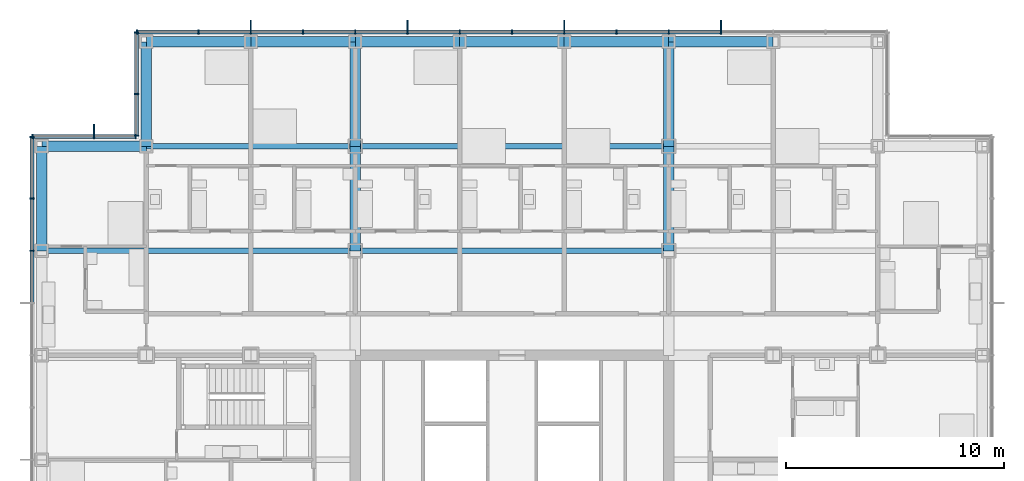
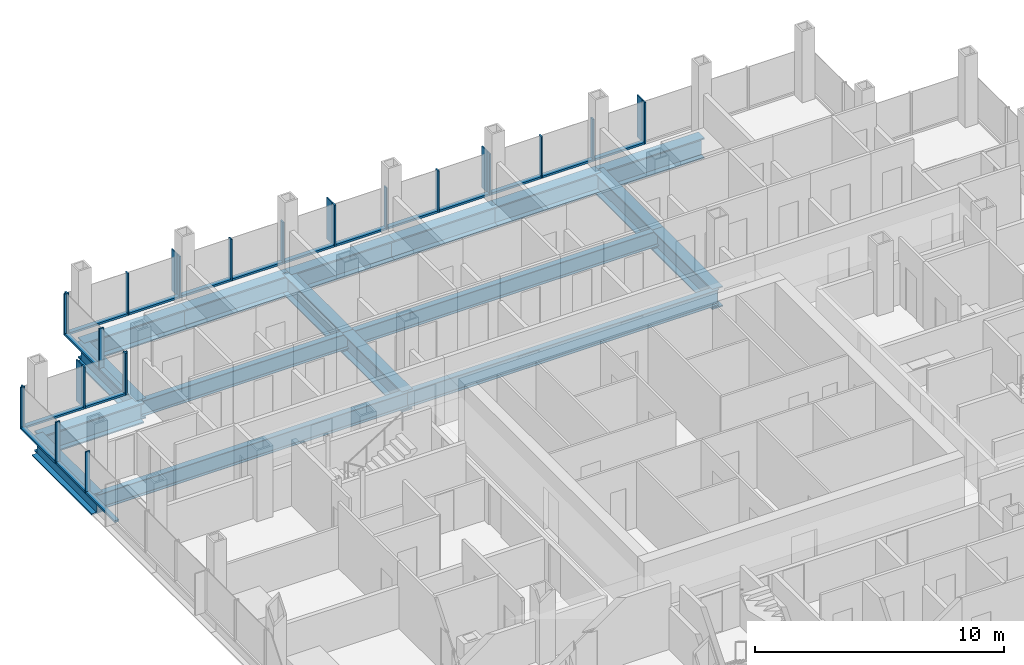
# One storey, part 10 of 22: 44 members, 17 beams, 4 elements without a shape of their own.
"""IFC4 building model written with IfcOpenShell, lengths in metres."""

from ifc_helpers import new_model, si_unit, direction, frame, origin, origin_2d, place, context, subcontext, project, spatial, rectangle, i_section, extrude, material, material_profile, profile_set, type_object, element, aggregate, save


model = new_model("IFC4")

# Units and contexts
model_context = context("Model", 3, precision=1e-05, world=origin(), true_north=direction((0.0, 1.0)))
body_context = subcontext(model_context, "Body", "Model", "MODEL_VIEW")
ifc_project = project(units=[si_unit("LENGTHUNIT", "METRE"), si_unit("AREAUNIT", "SQUARE_METRE"), si_unit("VOLUMEUNIT", "CUBIC_METRE"), si_unit("PLANEANGLEUNIT", "RADIAN"), si_unit("MASSUNIT", "GRAM", prefix="KILO")], contexts=[model_context])

# Site, building, storey
site_placement = place(None, origin())
site = spatial("IfcSite", under=ifc_project, at=site_placement, CompositionType="ELEMENT")
building_placement = place(site_placement, origin())
building = spatial("IfcBuilding", under=site, at=building_placement, Name="Kvirike Care Tower", CompositionType="ELEMENT")
storey_placement = place(building_placement, frame((0.0, 0.0, 76.0)))
storey = spatial("IfcBuildingStorey", under=building, at=storey_placement, Name="L20", CompositionType="ELEMENT", Elevation=76.0)

# Curtain wall, members
ifc_material_1 = material(Name="Anodised aluminium stick system", Category="aluminium")
curtain_wall_type = type_object("IfcCurtainWallType", Name="CW-A STICK CURTAIN WALL", PredefinedType="NOTDEFINED", material=ifc_material_1)
curtain_wall_1_placement = place(storey_placement, origin())
curtain_wall_1 = element("IfcCurtainWall", 1, at=curtain_wall_1_placement, inside=storey, type_object=curtain_wall_type, Name="Curtain wall L20 face 10", PredefinedType="NOTDEFINED")
ifc_material_2 = material(Name="Bronze anodised aluminium fin", Category="aluminium")
ifc_material_profile_1 = material_profile(ifc_material_2, rectangle(XDim=0.050048828125, YDim=0.449951171875, at=origin_2d()), Name="BRONZE FIN 450")
ifc_profile_set_1 = profile_set([ifc_material_profile_1], Name="Bronze anodised aluminium fin")
member_type_1 = type_object("IfcMemberType", Name="BRONZE FIN 450", PredefinedType="USERDEFINED", material=ifc_profile_set_1)
member_1_placement = place(storey_placement, frame((31.199951171875, 58.375, 0.0), z_axis=(0.0, 0.0, 1.0), x_axis=(-1.0, 0.0, 0.0)))
member_1 = element("IfcMember", 2, at=member_1_placement, type_object=member_type_1, Name="Bronze fin L20 face 10.4", ObjectType="FIN", PredefinedType="USERDEFINED", context=body_context, shape_type="SweptSolid", body=[
    extrude(rectangle(XDim=0.050048828125, YDim=0.449951171875, at=origin_2d()), origin(), (0.0, 0.0, 1.0), 2.050048828125),
])
member_2_placement = place(storey_placement, frame((24.0, 58.375, 0.0), z_axis=(0.0, 0.0, 1.0), x_axis=(-1.0, 0.0, 0.0)))
member_2 = element("IfcMember", 3, at=member_2_placement, type_object=member_type_1, Name="Bronze fin L20 face 10.7", ObjectType="FIN", PredefinedType="USERDEFINED", context=body_context, shape_type="SweptSolid", body=[
    extrude(rectangle(XDim=0.050048828125, YDim=0.449951171875, at=origin_2d()), origin(), (0.0, 0.0, 1.0), 2.050048828125),
])
member_3_placement = place(storey_placement, frame((16.800048828125, 58.375, 0.0), z_axis=(0.0, 0.0, 1.0), x_axis=(-1.0, 0.0, 0.0)))
member_3 = element("IfcMember", 4, at=member_3_placement, type_object=member_type_1, Name="Bronze fin L20 face 10.10", ObjectType="FIN", PredefinedType="USERDEFINED", context=body_context, shape_type="SweptSolid", body=[
    extrude(rectangle(XDim=0.050048828125, YDim=0.449951171875, at=origin_2d()), origin(), (0.0, 0.0, 1.0), 2.050048828125),
])
member_4_placement = place(storey_placement, frame((9.60009765625, 58.375, 0.0), z_axis=(0.0, 0.0, 1.0), x_axis=(-1.0, 0.0, 0.0)))
member_4 = element("IfcMember", 5, at=member_4_placement, type_object=member_type_1, Name="Bronze fin L20 face 10.13", ObjectType="FIN", PredefinedType="USERDEFINED", context=body_context, shape_type="SweptSolid", body=[
    extrude(rectangle(XDim=0.050048828125, YDim=0.449951171875, at=origin_2d()), origin(), (0.0, 0.0, 1.0), 2.050048828125),
])

# Curtain wall, member
curtain_wall_2_placement = place(storey_placement, origin())
curtain_wall_2 = element("IfcCurtainWall", 6, at=curtain_wall_2_placement, inside=storey, type_object=curtain_wall_type, Name="Curtain wall L20 face 12", PredefinedType="NOTDEFINED")
member_5_placement = place(storey_placement, frame((2.39990234375, 53.574951171875, 0.0), z_axis=(0.0, 0.0, 1.0), x_axis=(-1.0, 0.0, 0.0)))
member_5 = element("IfcMember", 7, at=member_5_placement, type_object=member_type_1, Name="Bronze fin L20 face 12.2", ObjectType="FIN", PredefinedType="USERDEFINED", context=body_context, shape_type="SweptSolid", body=[
    extrude(rectangle(XDim=0.050048828125, YDim=0.449951171875, at=origin_2d()), origin(), (0.0, 0.0, 1.0), 2.050048828125),
])

# Curtain wall, members
curtain_wall_3_placement = place(storey_placement, origin())
curtain_wall_3 = element("IfcCurtainWall", 8, at=curtain_wall_3_placement, inside=storey, type_object=curtain_wall_type, Name="Curtain wall L20 face 1", PredefinedType="NOTDEFINED")
ifc_material_3 = material(Name="Bronze anodised aluminium mullion", Category="aluminium")
ifc_material_profile_2 = material_profile(ifc_material_3, rectangle(XDim=0.06494140625, YDim=0.199951171875, at=origin_2d()), Name="CW-A MULLION 65x200")
ifc_profile_set_2 = profile_set([ifc_material_profile_2], Name="Bronze anodised aluminium mullion")
member_type_2 = type_object("IfcMemberType", Name="CW-A MULLION 65x200", PredefinedType="MULLION", material=ifc_profile_set_2)
member_6_placement = place(storey_placement, frame((-0.449951171875, 53.217529296875, 0.0), z_axis=(0.0, 0.0, 1.0), x_axis=(0.0, -1.0, 0.0)))
member_6 = element("IfcMember", 9, at=member_6_placement, type_object=member_type_2, Name="CW-A mullion L20 face 1.1", PredefinedType="MULLION", context=body_context, shape_type="SweptSolid", body=[
    extrude(rectangle(XDim=0.06494140625, YDim=0.199951171875, at=origin_2d()), origin(), (0.0, 0.0, 1.0), 2.050048828125),
])
member_7_placement = place(storey_placement, frame((-0.449951171875, 50.39990234375, 0.0), z_axis=(0.0, 0.0, 1.0), x_axis=(0.0, -1.0, 0.0)))
member_7 = element("IfcMember", 10, at=member_7_placement, type_object=member_type_2, Name="CW-A mullion L20 face 1.2", PredefinedType="MULLION", context=body_context, shape_type="SweptSolid", body=[
    extrude(rectangle(XDim=0.06494140625, YDim=0.199951171875, at=origin_2d()), origin(), (0.0, 0.0, 1.0), 2.050048828125),
])
member_8_placement = place(storey_placement, frame((-0.449951171875, 48.0, 0.0), z_axis=(0.0, 0.0, 1.0), x_axis=(0.0, -1.0, 0.0)))
member_8 = element("IfcMember", 11, at=member_8_placement, type_object=member_type_2, Name="CW-A mullion L20 face 1.3", PredefinedType="MULLION", context=body_context, shape_type="SweptSolid", body=[
    extrude(rectangle(XDim=0.06494140625, YDim=0.199951171875, at=origin_2d()), origin(), (0.0, 0.0, 1.0), 2.050048828125),
])

# Member
member_9_placement = place(storey_placement, frame((31.199951171875, 58.050048828125, 0.0), z_axis=(0.0, 0.0, 1.0), x_axis=(-1.0, 0.0, 0.0)))
member_9 = element("IfcMember", 12, at=member_9_placement, type_object=member_type_2, Name="CW-A mullion L20 face 10.4", PredefinedType="MULLION", context=body_context, shape_type="SweptSolid", body=[
    extrude(rectangle(XDim=0.06494140625, YDim=0.199951171875, at=origin_2d()), origin(), (0.0, 0.0, 1.0), 2.050048828125),
])

member_10_placement = place(storey_placement, frame((28.800048828125, 58.050048828125, 0.0), z_axis=(0.0, 0.0, 1.0), x_axis=(-1.0, 0.0, 0.0)))
member_10 = element("IfcMember", 13, at=member_10_placement, type_object=member_type_2, Name="CW-A mullion L20 face 10.5", PredefinedType="MULLION", context=body_context, shape_type="SweptSolid", body=[
    extrude(rectangle(XDim=0.06494140625, YDim=0.199951171875, at=origin_2d()), origin(), (0.0, 0.0, 1.0), 2.050048828125),
])

member_11_placement = place(storey_placement, frame((26.39990234375, 58.050048828125, 0.0), z_axis=(0.0, 0.0, 1.0), x_axis=(-1.0, 0.0, 0.0)))
member_11 = element("IfcMember", 14, at=member_11_placement, type_object=member_type_2, Name="CW-A mullion L20 face 10.6", PredefinedType="MULLION", context=body_context, shape_type="SweptSolid", body=[
    extrude(rectangle(XDim=0.06494140625, YDim=0.199951171875, at=origin_2d()), origin(), (0.0, 0.0, 1.0), 2.050048828125),
])

member_12_placement = place(storey_placement, frame((24.0, 58.050048828125, 0.0), z_axis=(0.0, 0.0, 1.0), x_axis=(-1.0, 0.0, 0.0)))
member_12 = element("IfcMember", 15, at=member_12_placement, type_object=member_type_2, Name="CW-A mullion L20 face 10.7", PredefinedType="MULLION", context=body_context, shape_type="SweptSolid", body=[
    extrude(rectangle(XDim=0.06494140625, YDim=0.199951171875, at=origin_2d()), origin(), (0.0, 0.0, 1.0), 2.050048828125),
])

member_13_placement = place(storey_placement, frame((21.60009765625, 58.050048828125, 0.0), z_axis=(0.0, 0.0, 1.0), x_axis=(-1.0, 0.0, 0.0)))
member_13 = element("IfcMember", 16, at=member_13_placement, type_object=member_type_2, Name="CW-A mullion L20 face 10.8", PredefinedType="MULLION", context=body_context, shape_type="SweptSolid", body=[
    extrude(rectangle(XDim=0.06494140625, YDim=0.199951171875, at=origin_2d()), origin(), (0.0, 0.0, 1.0), 2.050048828125),
])

member_14_placement = place(storey_placement, frame((19.199951171875, 58.050048828125, 0.0), z_axis=(0.0, 0.0, 1.0), x_axis=(-1.0, 0.0, 0.0)))
member_14 = element("IfcMember", 17, at=member_14_placement, type_object=member_type_2, Name="CW-A mullion L20 face 10.9", PredefinedType="MULLION", context=body_context, shape_type="SweptSolid", body=[
    extrude(rectangle(XDim=0.06494140625, YDim=0.199951171875, at=origin_2d()), origin(), (0.0, 0.0, 1.0), 2.050048828125),
])

member_15_placement = place(storey_placement, frame((16.800048828125, 58.050048828125, 0.0), z_axis=(0.0, 0.0, 1.0), x_axis=(-1.0, 0.0, 0.0)))
member_15 = element("IfcMember", 18, at=member_15_placement, type_object=member_type_2, Name="CW-A mullion L20 face 10.10", PredefinedType="MULLION", context=body_context, shape_type="SweptSolid", body=[
    extrude(rectangle(XDim=0.06494140625, YDim=0.199951171875, at=origin_2d()), origin(), (0.0, 0.0, 1.0), 2.050048828125),
])

member_16_placement = place(storey_placement, frame((14.39990234375, 58.050048828125, 0.0), z_axis=(0.0, 0.0, 1.0), x_axis=(-1.0, 0.0, 0.0)))
member_16 = element("IfcMember", 19, at=member_16_placement, type_object=member_type_2, Name="CW-A mullion L20 face 10.11", PredefinedType="MULLION", context=body_context, shape_type="SweptSolid", body=[
    extrude(rectangle(XDim=0.06494140625, YDim=0.199951171875, at=origin_2d()), origin(), (0.0, 0.0, 1.0), 2.050048828125),
])

member_17_placement = place(storey_placement, frame((12.0, 58.050048828125, 0.0), z_axis=(0.0, 0.0, 1.0), x_axis=(-1.0, 0.0, 0.0)))
member_17 = element("IfcMember", 20, at=member_17_placement, type_object=member_type_2, Name="CW-A mullion L20 face 10.12", PredefinedType="MULLION", context=body_context, shape_type="SweptSolid", body=[
    extrude(rectangle(XDim=0.06494140625, YDim=0.199951171875, at=origin_2d()), origin(), (0.0, 0.0, 1.0), 2.050048828125),
])

member_18_placement = place(storey_placement, frame((9.60009765625, 58.050048828125, 0.0), z_axis=(0.0, 0.0, 1.0), x_axis=(-1.0, 0.0, 0.0)))
member_18 = element("IfcMember", 21, at=member_18_placement, type_object=member_type_2, Name="CW-A mullion L20 face 10.13", PredefinedType="MULLION", context=body_context, shape_type="SweptSolid", body=[
    extrude(rectangle(XDim=0.06494140625, YDim=0.199951171875, at=origin_2d()), origin(), (0.0, 0.0, 1.0), 2.050048828125),
])

member_19_placement = place(storey_placement, frame((7.199951171875, 58.050048828125, 0.0), z_axis=(0.0, 0.0, 1.0), x_axis=(-1.0, 0.0, 0.0)))
member_19 = element("IfcMember", 22, at=member_19_placement, type_object=member_type_2, Name="CW-A mullion L20 face 10.14", PredefinedType="MULLION", context=body_context, shape_type="SweptSolid", body=[
    extrude(rectangle(XDim=0.06494140625, YDim=0.199951171875, at=origin_2d()), origin(), (0.0, 0.0, 1.0), 2.050048828125),
])

member_20_placement = place(storey_placement, frame((4.382568359375, 58.050048828125, 0.0), z_axis=(0.0, 0.0, 1.0), x_axis=(-1.0, 0.0, 0.0)))
member_20 = element("IfcMember", 23, at=member_20_placement, type_object=member_type_2, Name="CW-A mullion L20 face 10.15", PredefinedType="MULLION", context=body_context, shape_type="SweptSolid", body=[
    extrude(rectangle(XDim=0.06494140625, YDim=0.199951171875, at=origin_2d()), origin(), (0.0, 0.0, 1.0), 2.050048828125),
])

# Curtain wall, members
curtain_wall_4_placement = place(storey_placement, origin())
curtain_wall_4 = element("IfcCurtainWall", 24, at=curtain_wall_4_placement, inside=storey, type_object=curtain_wall_type, Name="Curtain wall L20 face 11", PredefinedType="NOTDEFINED")
member_21_placement = place(storey_placement, frame((4.35009765625, 58.017578125, 0.0), z_axis=(0.0, 0.0, 1.0), x_axis=(0.0, -1.0, 0.0)))
member_21 = element("IfcMember", 25, at=member_21_placement, type_object=member_type_2, Name="CW-A mullion L20 face 11.1", PredefinedType="MULLION", context=body_context, shape_type="SweptSolid", body=[
    extrude(rectangle(XDim=0.06494140625, YDim=0.199951171875, at=origin_2d()), origin(), (0.0, 0.0, 1.0), 2.050048828125),
])
member_22_placement = place(storey_placement, frame((4.35009765625, 55.199951171875, 0.0), z_axis=(0.0, 0.0, 1.0), x_axis=(0.0, -1.0, 0.0)))
member_22 = element("IfcMember", 26, at=member_22_placement, type_object=member_type_2, Name="CW-A mullion L20 face 11.2", PredefinedType="MULLION", context=body_context, shape_type="SweptSolid", body=[
    extrude(rectangle(XDim=0.06494140625, YDim=0.199951171875, at=origin_2d()), origin(), (0.0, 0.0, 1.0), 2.050048828125),
])
member_23_placement = place(storey_placement, frame((4.35009765625, 53.282470703125, 0.0), z_axis=(0.0, 0.0, 1.0), x_axis=(0.0, -1.0, 0.0)))
member_23 = element("IfcMember", 27, at=member_23_placement, type_object=member_type_2, Name="CW-A mullion L20 face 11.3", PredefinedType="MULLION", context=body_context, shape_type="SweptSolid", body=[
    extrude(rectangle(XDim=0.06494140625, YDim=0.199951171875, at=origin_2d()), origin(), (0.0, 0.0, 1.0), 2.050048828125),
])

# Member
member_24_placement = place(storey_placement, frame((4.3173828125, 53.25, 0.0), z_axis=(0.0, 0.0, 1.0), x_axis=(-1.0, 0.0, 0.0)))
member_24 = element("IfcMember", 28, at=member_24_placement, type_object=member_type_2, Name="CW-A mullion L20 face 12.1", PredefinedType="MULLION", context=body_context, shape_type="SweptSolid", body=[
    extrude(rectangle(XDim=0.06494140625, YDim=0.199951171875, at=origin_2d()), origin(), (0.0, 0.0, 1.0), 2.050048828125),
])

member_25_placement = place(storey_placement, frame((2.39990234375, 53.25, 0.0), z_axis=(0.0, 0.0, 1.0), x_axis=(-1.0, 0.0, 0.0)))
member_25 = element("IfcMember", 29, at=member_25_placement, type_object=member_type_2, Name="CW-A mullion L20 face 12.2", PredefinedType="MULLION", context=body_context, shape_type="SweptSolid", body=[
    extrude(rectangle(XDim=0.06494140625, YDim=0.199951171875, at=origin_2d()), origin(), (0.0, 0.0, 1.0), 2.050048828125),
])

member_26_placement = place(storey_placement, frame((-0.41748046875, 53.25, 0.0), z_axis=(0.0, 0.0, 1.0), x_axis=(-1.0, 0.0, 0.0)))
member_26 = element("IfcMember", 30, at=member_26_placement, type_object=member_type_2, Name="CW-A mullion L20 face 12.3", PredefinedType="MULLION", context=body_context, shape_type="SweptSolid", body=[
    extrude(rectangle(XDim=0.06494140625, YDim=0.199951171875, at=origin_2d()), origin(), (0.0, 0.0, 1.0), 2.050048828125),
])

ifc_material_4 = material(Name="Bronze anodised aluminium transom", Category="aluminium")
ifc_material_profile_3 = material_profile(ifc_material_4, rectangle(XDim=0.199951171875, YDim=0.10009765625, at=origin_2d()), Name="CW-A TRANSOM 200x100")
ifc_profile_set_3 = profile_set([ifc_material_profile_3], Name="Bronze anodised aluminium transom")
member_type_3 = type_object("IfcMemberType", Name="CW-A TRANSOM 200x100", PredefinedType="USERDEFINED", material=ifc_profile_set_3)
member_27_placement = place(storey_placement, frame((-0.449951171875, 53.18505859375, 0.050048828125), z_axis=(0.0, -1.0, 0.0), x_axis=(1.0, 0.0, 0.0)))
member_27 = element("IfcMember", 31, at=member_27_placement, type_object=member_type_3, Name="CW-A sill transom L20 face 1.1", ObjectType="TRANSOM", PredefinedType="USERDEFINED", context=body_context, shape_type="SweptSolid", body=[
    extrude(rectangle(XDim=0.199951171875, YDim=0.10009765625, at=origin_2d()), origin(), (0.0, 0.0, 1.0), 2.75244140625),
])

member_28_placement = place(storey_placement, frame((-0.449951171875, 50.367431640625, 0.050048828125), z_axis=(0.0, -1.0, 0.0), x_axis=(1.0, 0.0, 0.0)))
member_28 = element("IfcMember", 32, at=member_28_placement, type_object=member_type_3, Name="CW-A sill transom L20 face 1.2", ObjectType="TRANSOM", PredefinedType="USERDEFINED", context=body_context, shape_type="SweptSolid", body=[
    extrude(rectangle(XDim=0.199951171875, YDim=0.10009765625, at=origin_2d()), origin(), (0.0, 0.0, 1.0), 2.3349609375),
])

member_29_placement = place(storey_placement, frame((-0.449951171875, 47.967529296875, 0.050048828125), z_axis=(0.0, -1.0, 0.0), x_axis=(1.0, 0.0, 0.0)))
member_29 = element("IfcMember", 33, at=member_29_placement, type_object=member_type_3, Name="CW-A sill transom L20 face 1.3", ObjectType="TRANSOM", PredefinedType="USERDEFINED", context=body_context, shape_type="SweptSolid", body=[
    extrude(rectangle(XDim=0.199951171875, YDim=0.10009765625, at=origin_2d()), origin(), (0.0, 0.0, 1.0), 2.3349609375),
])

aggregate(curtain_wall_3, [member_6, member_7, member_8, member_27, member_28, member_29])

member_30_placement = place(storey_placement, frame((31.16748046875, 58.050048828125, 0.050048828125), z_axis=(-1.0, 0.0, 0.0), x_axis=(0.0, -1.0, 0.0)))
member_30 = element("IfcMember", 34, at=member_30_placement, type_object=member_type_3, Name="CW-A sill transom L20 face 10.4", ObjectType="TRANSOM", PredefinedType="USERDEFINED", context=body_context, shape_type="SweptSolid", body=[
    extrude(rectangle(XDim=0.199951171875, YDim=0.10009765625, at=origin_2d()), origin(), (0.0, 0.0, 1.0), 2.3349609375),
])

member_31_placement = place(storey_placement, frame((28.767578125, 58.050048828125, 0.050048828125), z_axis=(-1.0, 0.0, 0.0), x_axis=(0.0, -1.0, 0.0)))
member_31 = element("IfcMember", 35, at=member_31_placement, type_object=member_type_3, Name="CW-A sill transom L20 face 10.5", ObjectType="TRANSOM", PredefinedType="USERDEFINED", context=body_context, shape_type="SweptSolid", body=[
    extrude(rectangle(XDim=0.199951171875, YDim=0.10009765625, at=origin_2d()), origin(), (0.0, 0.0, 1.0), 2.3349609375),
])

member_32_placement = place(storey_placement, frame((26.367431640625, 58.050048828125, 0.050048828125), z_axis=(-1.0, 0.0, 0.0), x_axis=(0.0, -1.0, 0.0)))
member_32 = element("IfcMember", 36, at=member_32_placement, type_object=member_type_3, Name="CW-A sill transom L20 face 10.6", ObjectType="TRANSOM", PredefinedType="USERDEFINED", context=body_context, shape_type="SweptSolid", body=[
    extrude(rectangle(XDim=0.199951171875, YDim=0.10009765625, at=origin_2d()), origin(), (0.0, 0.0, 1.0), 2.3349609375),
])

member_33_placement = place(storey_placement, frame((23.967529296875, 58.050048828125, 0.050048828125), z_axis=(-1.0, 0.0, 0.0), x_axis=(0.0, -1.0, 0.0)))
member_33 = element("IfcMember", 37, at=member_33_placement, type_object=member_type_3, Name="CW-A sill transom L20 face 10.7", ObjectType="TRANSOM", PredefinedType="USERDEFINED", context=body_context, shape_type="SweptSolid", body=[
    extrude(rectangle(XDim=0.199951171875, YDim=0.10009765625, at=origin_2d()), origin(), (0.0, 0.0, 1.0), 2.3349609375),
])

member_34_placement = place(storey_placement, frame((21.5673828125, 58.050048828125, 0.050048828125), z_axis=(-1.0, 0.0, 0.0), x_axis=(0.0, -1.0, 0.0)))
member_34 = element("IfcMember", 38, at=member_34_placement, type_object=member_type_3, Name="CW-A sill transom L20 face 10.8", ObjectType="TRANSOM", PredefinedType="USERDEFINED", context=body_context, shape_type="SweptSolid", body=[
    extrude(rectangle(XDim=0.199951171875, YDim=0.10009765625, at=origin_2d()), origin(), (0.0, 0.0, 1.0), 2.3349609375),
])

member_35_placement = place(storey_placement, frame((19.16748046875, 58.050048828125, 0.050048828125), z_axis=(-1.0, 0.0, 0.0), x_axis=(0.0, -1.0, 0.0)))
member_35 = element("IfcMember", 39, at=member_35_placement, type_object=member_type_3, Name="CW-A sill transom L20 face 10.9", ObjectType="TRANSOM", PredefinedType="USERDEFINED", context=body_context, shape_type="SweptSolid", body=[
    extrude(rectangle(XDim=0.199951171875, YDim=0.10009765625, at=origin_2d()), origin(), (0.0, 0.0, 1.0), 2.3349609375),
])

member_36_placement = place(storey_placement, frame((16.767578125, 58.050048828125, 0.050048828125), z_axis=(-1.0, 0.0, 0.0), x_axis=(0.0, -1.0, 0.0)))
member_36 = element("IfcMember", 40, at=member_36_placement, type_object=member_type_3, Name="CW-A sill transom L20 face 10.10", ObjectType="TRANSOM", PredefinedType="USERDEFINED", context=body_context, shape_type="SweptSolid", body=[
    extrude(rectangle(XDim=0.199951171875, YDim=0.10009765625, at=origin_2d()), origin(), (0.0, 0.0, 1.0), 2.3349609375),
])

member_37_placement = place(storey_placement, frame((14.367431640625, 58.050048828125, 0.050048828125), z_axis=(-1.0, 0.0, 0.0), x_axis=(0.0, -1.0, 0.0)))
member_37 = element("IfcMember", 41, at=member_37_placement, type_object=member_type_3, Name="CW-A sill transom L20 face 10.11", ObjectType="TRANSOM", PredefinedType="USERDEFINED", context=body_context, shape_type="SweptSolid", body=[
    extrude(rectangle(XDim=0.199951171875, YDim=0.10009765625, at=origin_2d()), origin(), (0.0, 0.0, 1.0), 2.3349609375),
])

member_38_placement = place(storey_placement, frame((11.967529296875, 58.050048828125, 0.050048828125), z_axis=(-1.0, 0.0, 0.0), x_axis=(0.0, -1.0, 0.0)))
member_38 = element("IfcMember", 42, at=member_38_placement, type_object=member_type_3, Name="CW-A sill transom L20 face 10.12", ObjectType="TRANSOM", PredefinedType="USERDEFINED", context=body_context, shape_type="SweptSolid", body=[
    extrude(rectangle(XDim=0.199951171875, YDim=0.10009765625, at=origin_2d()), origin(), (0.0, 0.0, 1.0), 2.3349609375),
])

member_39_placement = place(storey_placement, frame((9.5673828125, 58.050048828125, 0.050048828125), z_axis=(-1.0, 0.0, 0.0), x_axis=(0.0, -1.0, 0.0)))
member_39 = element("IfcMember", 43, at=member_39_placement, type_object=member_type_3, Name="CW-A sill transom L20 face 10.13", ObjectType="TRANSOM", PredefinedType="USERDEFINED", context=body_context, shape_type="SweptSolid", body=[
    extrude(rectangle(XDim=0.199951171875, YDim=0.10009765625, at=origin_2d()), origin(), (0.0, 0.0, 1.0), 2.3349609375),
])

member_40_placement = place(storey_placement, frame((7.16748046875, 58.050048828125, 0.050048828125), z_axis=(-1.0, 0.0, 0.0), x_axis=(0.0, -1.0, 0.0)))
member_40 = element("IfcMember", 44, at=member_40_placement, type_object=member_type_3, Name="CW-A sill transom L20 face 10.14", ObjectType="TRANSOM", PredefinedType="USERDEFINED", context=body_context, shape_type="SweptSolid", body=[
    extrude(rectangle(XDim=0.199951171875, YDim=0.10009765625, at=origin_2d()), origin(), (0.0, 0.0, 1.0), 2.75244140625),
])

aggregate(curtain_wall_1, [member_9, member_1, member_10, member_11, member_12, member_2, member_13, member_14, member_15, member_3, member_16, member_17, member_18, member_4, member_19, member_20, member_30, member_31, member_32, member_33, member_34, member_35, member_36, member_37, member_38, member_39, member_40])

member_41_placement = place(storey_placement, frame((4.35009765625, 57.985107421875, 0.050048828125), z_axis=(0.0, -1.0, 0.0), x_axis=(1.0, 0.0, 0.0)))
member_41 = element("IfcMember", 45, at=member_41_placement, type_object=member_type_3, Name="CW-A sill transom L20 face 11.1", ObjectType="TRANSOM", PredefinedType="USERDEFINED", context=body_context, shape_type="SweptSolid", body=[
    extrude(rectangle(XDim=0.199951171875, YDim=0.10009765625, at=origin_2d()), origin(), (0.0, 0.0, 1.0), 2.752685546875),
])

member_42_placement = place(storey_placement, frame((4.35009765625, 55.16748046875, 0.050048828125), z_axis=(0.0, -1.0, 0.0), x_axis=(1.0, 0.0, 0.0)))
member_42 = element("IfcMember", 46, at=member_42_placement, type_object=member_type_3, Name="CW-A sill transom L20 face 11.2", ObjectType="TRANSOM", PredefinedType="USERDEFINED", context=body_context, shape_type="SweptSolid", body=[
    extrude(rectangle(XDim=0.199951171875, YDim=0.10009765625, at=origin_2d()), origin(), (0.0, 0.0, 1.0), 1.8525390625),
])

aggregate(curtain_wall_4, [member_21, member_22, member_23, member_41, member_42])

member_43_placement = place(storey_placement, frame((4.284912109375, 53.25, 0.050048828125), z_axis=(-1.0, 0.0, 0.0), x_axis=(0.0, -1.0, 0.0)))
member_43 = element("IfcMember", 47, at=member_43_placement, type_object=member_type_3, Name="CW-A sill transom L20 face 12.1", ObjectType="TRANSOM", PredefinedType="USERDEFINED", context=body_context, shape_type="SweptSolid", body=[
    extrude(rectangle(XDim=0.199951171875, YDim=0.10009765625, at=origin_2d()), origin(), (0.0, 0.0, 1.0), 1.852294921875),
])

member_44_placement = place(storey_placement, frame((2.367431640625, 53.25, 0.050048828125), z_axis=(-1.0, 0.0, 0.0), x_axis=(0.0, -1.0, 0.0)))
member_44 = element("IfcMember", 48, at=member_44_placement, type_object=member_type_3, Name="CW-A sill transom L20 face 12.2", ObjectType="TRANSOM", PredefinedType="USERDEFINED", context=body_context, shape_type="SweptSolid", body=[
    extrude(rectangle(XDim=0.199951171875, YDim=0.10009765625, at=origin_2d()), origin(), (0.0, 0.0, 1.0), 2.75244140625),
])

aggregate(curtain_wall_2, [member_24, member_25, member_5, member_26, member_43, member_44])

# Beams
ifc_material_5 = material(Name="Steel S355", Category="steel")
ifc_material_profile_4 = material_profile(ifc_material_5, i_section(OverallWidth=0.26806640625, OverallDepth=0.77001953125, WebThickness=0.015625, FlangeThickness=0.025390625, FilletRadius=0.01708984375, at=origin_2d()), Name="IPE 750x196")
ifc_profile_set_4 = profile_set([ifc_material_profile_4], Name="Steel S355")
beam_type_1 = type_object("IfcBeamType", Name="FLOOR BEAM IPE 750x196", PredefinedType="BEAM", material=ifc_profile_set_4)
beam_1_placement = place(storey_placement, frame((0.0, 48.0, -0.554931640625), z_axis=(1.0, 0.0, 0.0), x_axis=(0.0, 1.0, 0.0)))
element("IfcBeam", 49, at=beam_1_placement, inside=storey, type_object=beam_type_1, Name="Floor Beam L3-L6 L20", PredefinedType="BEAM", context=body_context, shape_type="SweptSolid", body=[
    extrude(i_section(OverallWidth=0.26806640625, OverallDepth=0.77001953125, WebThickness=0.015625, FlangeThickness=0.025390625, FilletRadius=0.01708984375, at=origin_2d()), origin(), (0.0, 0.0, 1.0), 14.39990234375),
])
beam_2_placement = place(storey_placement, frame((14.39990234375, 48.0, -0.554931640625), z_axis=(1.0, 0.0, 0.0), x_axis=(0.0, 1.0, 0.0)))
element("IfcBeam", 50, at=beam_2_placement, inside=storey, type_object=beam_type_1, Name="Floor Beam L6-L9 L20", PredefinedType="BEAM", context=body_context, shape_type="SweptSolid", body=[
    extrude(i_section(OverallWidth=0.26806640625, OverallDepth=0.77001953125, WebThickness=0.015625, FlangeThickness=0.025390625, FilletRadius=0.01708984375, at=origin_2d()), origin(), (0.0, 0.0, 1.0), 14.400146484375),
])
beam_3_placement = place(storey_placement, frame((4.800048828125, 52.800048828125, -0.554931640625), z_axis=(1.0, 0.0, 0.0), x_axis=(0.0, 1.0, 0.0)))
element("IfcBeam", 51, at=beam_3_placement, inside=storey, type_object=beam_type_1, Name="Floor Beam M4-M6 L20", PredefinedType="BEAM", context=body_context, shape_type="SweptSolid", body=[
    extrude(i_section(OverallWidth=0.26806640625, OverallDepth=0.77001953125, WebThickness=0.015625, FlangeThickness=0.025390625, FilletRadius=0.01708984375, at=origin_2d()), origin(), (0.0, 0.0, 1.0), 9.599853515625),
])
beam_4_placement = place(storey_placement, frame((14.39990234375, 52.800048828125, -0.554931640625), z_axis=(1.0, 0.0, 0.0), x_axis=(0.0, 1.0, 0.0)))
element("IfcBeam", 52, at=beam_4_placement, inside=storey, type_object=beam_type_1, Name="Floor Beam M6-M9 L20", PredefinedType="BEAM", context=body_context, shape_type="SweptSolid", body=[
    extrude(i_section(OverallWidth=0.26806640625, OverallDepth=0.77001953125, WebThickness=0.015625, FlangeThickness=0.025390625, FilletRadius=0.01708984375, at=origin_2d()), origin(), (0.0, 0.0, 1.0), 14.400146484375),
])
ifc_material_6 = material(Name="Steel S355", Category="steel")
ifc_material_profile_5 = material_profile(ifc_material_6, i_section(OverallWidth=0.5, OverallDepth=1.0, WebThickness=0.030029296875, FlangeThickness=0.06005859375, at=origin_2d()), Name="PG 1000x500x30x60")
ifc_profile_set_5 = profile_set([ifc_material_profile_5], Name="Steel S355")
beam_type_2 = type_object("IfcBeamType", Name="FRAME BEAM PG 1000x500x30x60", PredefinedType="BEAM", material=ifc_profile_set_5)
for number, where, z_axis, x_axis, name in (
    (53, (14.39990234375, 48.0, -0.669921875), (0.0, 1.0, 0.0), (-1.0, 0.0, 0.0), "Frame Beam L6-M6 L20"),
    (54, (14.39990234375, 52.800048828125, -0.669921875), (0.0, 1.0, 0.0), (-1.0, 0.0, 0.0), "Frame Beam M6-N6 L20"),
    (55, (28.800048828125, 48.0, -0.669921875), (0.0, 1.0, 0.0), (-1.0, 0.0, 0.0), "Frame Beam L9-M9 L20"),
    (56, (28.800048828125, 52.800048828125, -0.669921875), (0.0, 1.0, 0.0), (-1.0, 0.0, 0.0), "Frame Beam M9-N9 L20"),
):
    element("IfcBeam", number, at=place(storey_placement, frame(where, z_axis=z_axis, x_axis=x_axis)), inside=storey, type_object=beam_type_2, Name=name, PredefinedType="BEAM", context=body_context, shape_type="SweptSolid", body=[
        extrude(i_section(OverallWidth=0.5, OverallDepth=1.0, WebThickness=0.030029296875, FlangeThickness=0.06005859375, at=origin_2d()), origin(), (0.0, 0.0, 1.0), 4.800048828125),
    ])
ifc_material_7 = material(Name="Steel S355", Category="steel")
ifc_material_profile_6 = material_profile(ifc_material_7, i_section(OverallWidth=0.5, OverallDepth=1.0, WebThickness=0.030029296875, FlangeThickness=0.06005859375, at=origin_2d()), Name="PG 1000x500x30x60")
ifc_profile_set_6 = profile_set([ifc_material_profile_6], Name="Steel S355")
beam_type_3 = type_object("IfcBeamType", Name="SPANDREL PG 1000x500x30x60", PredefinedType="SPANDREL", material=ifc_profile_set_6)
for number, where, z_axis, x_axis, name in (
    (57, (0.0, 52.800048828125, -0.669921875), (1.0, 0.0, 0.0), (0.0, 1.0, 0.0), "Spandrel M3-M4 L20"),
    (58, (4.800048828125, 57.60009765625, -0.669921875), (1.0, 0.0, 0.0), (0.0, 1.0, 0.0), "Spandrel N4-N5 L20"),
):
    element("IfcBeam", number, at=place(storey_placement, frame(where, z_axis=z_axis, x_axis=x_axis)), inside=storey, type_object=beam_type_3, Name=name, PredefinedType="SPANDREL", context=body_context, shape_type="SweptSolid", body=[
        extrude(i_section(OverallWidth=0.5, OverallDepth=1.0, WebThickness=0.030029296875, FlangeThickness=0.06005859375, at=origin_2d()), origin(), (0.0, 0.0, 1.0), 4.800048828125),
    ])
beam_5_placement = place(storey_placement, frame((9.60009765625, 57.60009765625, -0.669921875), z_axis=(1.0, 0.0, 0.0), x_axis=(0.0, 1.0, 0.0)))
element("IfcBeam", 59, at=beam_5_placement, inside=storey, type_object=beam_type_3, Name="Spandrel N5-N6 L20", PredefinedType="SPANDREL", context=body_context, shape_type="SweptSolid", body=[
    extrude(i_section(OverallWidth=0.5, OverallDepth=1.0, WebThickness=0.030029296875, FlangeThickness=0.06005859375, at=origin_2d()), origin(), (0.0, 0.0, 1.0), 4.7998046875),
])
for number, where, z_axis, x_axis, name in (
    (60, (14.39990234375, 57.60009765625, -0.669921875), (1.0, 0.0, 0.0), (0.0, 1.0, 0.0), "Spandrel N6-N7 L20"),
    (61, (19.199951171875, 57.60009765625, -0.669921875), (1.0, 0.0, 0.0), (0.0, 1.0, 0.0), "Spandrel N7-N8 L20"),
    (62, (24.0, 57.60009765625, -0.669921875), (1.0, 0.0, 0.0), (0.0, 1.0, 0.0), "Spandrel N8-N9 L20"),
    (63, (28.800048828125, 57.60009765625, -0.669921875), (1.0, 0.0, 0.0), (0.0, 1.0, 0.0), "Spandrel N9-N10 L20"),
    (64, (0.0, 48.0, -0.669921875), (0.0, 1.0, 0.0), (-1.0, 0.0, 0.0), "Spandrel L3-M3 L20"),
    (65, (4.800048828125, 52.800048828125, -0.669921875), (0.0, 1.0, 0.0), (-1.0, 0.0, 0.0), "Spandrel M4-N4 L20"),
):
    element("IfcBeam", number, at=place(storey_placement, frame(where, z_axis=z_axis, x_axis=x_axis)), inside=storey, type_object=beam_type_3, Name=name, PredefinedType="SPANDREL", context=body_context, shape_type="SweptSolid", body=[
        extrude(i_section(OverallWidth=0.5, OverallDepth=1.0, WebThickness=0.030029296875, FlangeThickness=0.06005859375, at=origin_2d()), origin(), (0.0, 0.0, 1.0), 4.800048828125),
    ])

save(model, "model.ifc")
